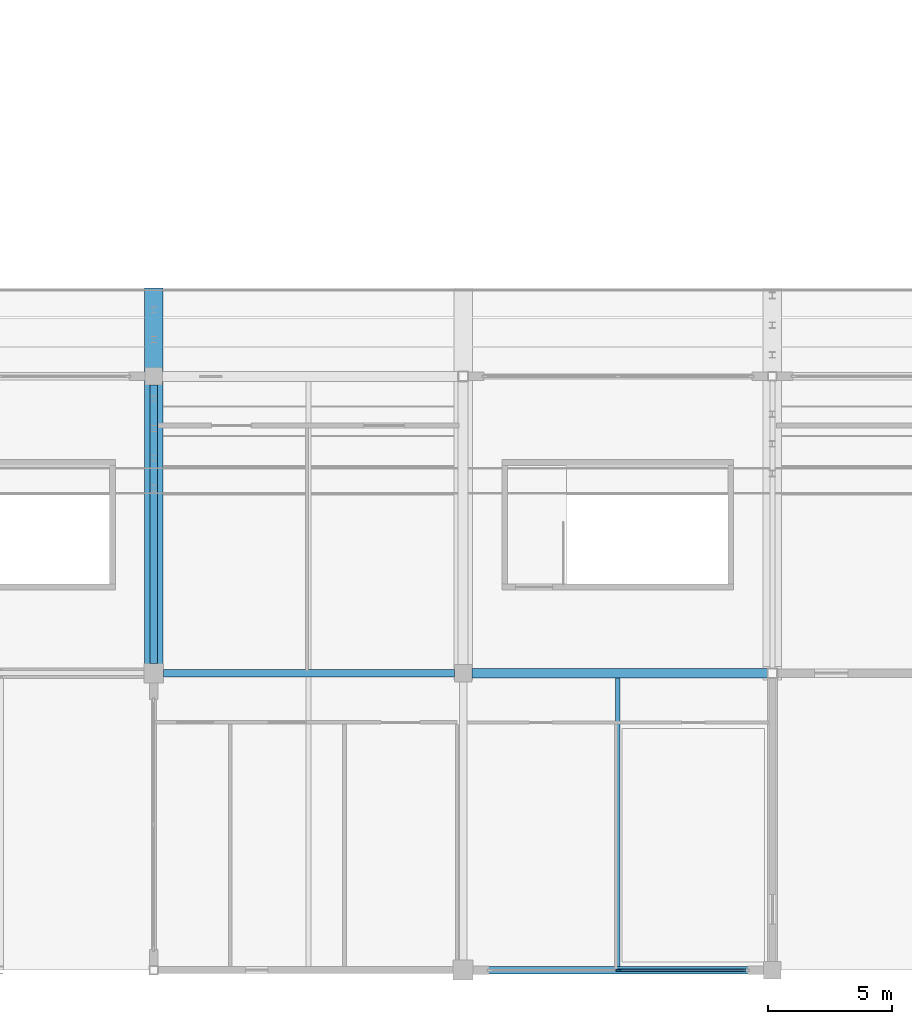
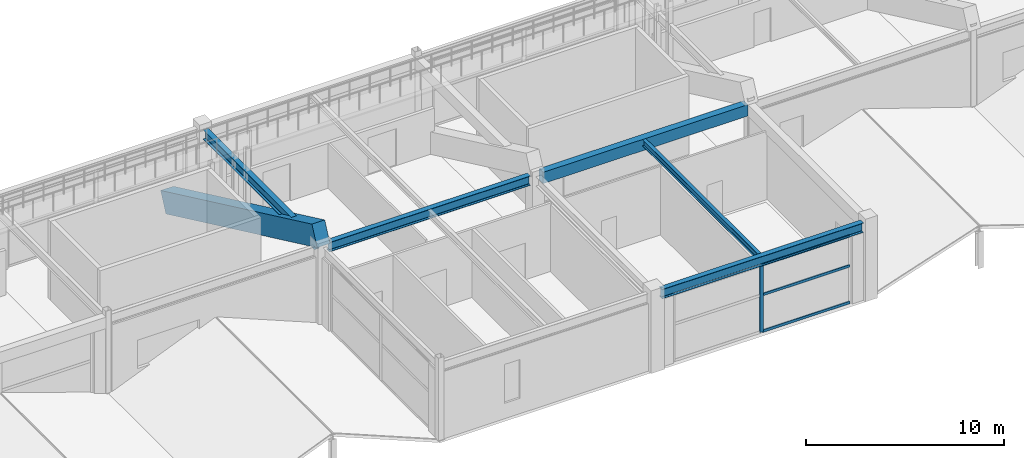
# One storey, part 32 of 128: 6 beams, 4 members, 1 element without a shape of its own.
"""IFC4 building model written with IfcOpenShell, lengths in metres."""

import ifcopenshell
import ifcopenshell.guid

model = None  # the IFC model being written
_history = None  # IfcOwnerHistory: only IFC2X3 demands one
_inside = {}  # id of a spatial element -> (the spatial element, [elements in it])
_under = {}  # id of a project, library or spatial element -> (it, [spatial elements below it])
_declared = {}  # id of a project -> (the project, [libraries it declares])
_typed = {}  # id of a type object -> (the type object, [elements of that type])
_made_of = {}  # id of a material, layer set ... -> (it, [elements and type objects made of it])


def new_model(schema):
    """Start an empty IFC model of exactly this schema.

    Asked for "IFC4X3", IfcOpenShell would pick the latest addendum, in which some entities
    have other attributes; the version numbers below select the first issue.
    IFC2X3 requires an IfcOwnerHistory on every rooted entity: one is made here for all.
    """
    global model, _history
    if schema == "IFC4X3":
        model = ifcopenshell.file(schema_version=(4, 3, 0, 0))
    else:
        model = ifcopenshell.file(schema=schema)
    _inside.clear()
    _under.clear()
    _declared.clear()
    _typed.clear()
    _made_of.clear()
    _history = None
    if model.schema == "IFC2X3":
        org = make("IfcOrganization", Name="unknown")
        user = make(
            "IfcPersonAndOrganization",
            ThePerson=make("IfcPerson", FamilyName="unknown"),
            TheOrganization=org,
        )
        app = make(
            "IfcApplication",
            ApplicationDeveloper=org,
            Version="unknown",
            ApplicationFullName="unknown",
            ApplicationIdentifier="unknown",
        )
        _history = make(
            "IfcOwnerHistory",
            OwningUser=user,
            OwningApplication=app,
            ChangeAction="ADDED",
            CreationDate=0,
        )
    return model


def make(cls, **values):
    """One entity of the class cls with the attributes given. An attribute that is None is left unset."""
    return model.create_entity(
        cls, **{name: value for name, value in values.items() if value is not None}
    )


def rooted(cls, **values):
    """An entity with a GlobalId (a new one), such as an element, a storey or a relation."""
    return make(cls, GlobalId=ifcopenshell.guid.new(), OwnerHistory=_history, **values)


def si_unit(unit_type, name, prefix=None):
    """IfcSIUnit, for example si_unit("LENGTHUNIT", "METRE", prefix="MILLI")."""
    return make("IfcSIUnit", UnitType=unit_type, Prefix=prefix, Name=name)


def assignment(units):
    """IfcUnitAssignment: the units of a project."""
    return None if units is None else make("IfcUnitAssignment", Units=units)


def point(xyz):
    """IfcCartesianPoint."""
    return None if xyz is None else make("IfcCartesianPoint", Coordinates=xyz)


def direction(xyz):
    """IfcDirection."""
    return None if xyz is None else make("IfcDirection", DirectionRatios=xyz)


def frame(location, z_axis=None, x_axis=None):
    """IfcAxis2Placement3D, a coordinate frame: its origin and axes. An axis left out is left unset."""
    return make(
        "IfcAxis2Placement3D",
        Location=point(location),
        Axis=direction(z_axis),
        RefDirection=direction(x_axis),
    )


def frame_2d(location, x_axis=None):
    """IfcAxis2Placement2D, a coordinate frame in the plane: its origin and x axis."""
    return make(
        "IfcAxis2Placement2D", Location=point(location), RefDirection=direction(x_axis)
    )


def origin():
    """The frame at (0, 0, 0) with its axes left unset."""
    return frame((0.0, 0.0, 0.0))


def origin_2d():
    """The frame at (0, 0) in the plane with its x axis left unset."""
    return frame_2d((0.0, 0.0))


def place(relative_to, where):
    """IfcLocalPlacement: puts the frame where relative to a parent placement (None: the world)."""
    return make(
        "IfcLocalPlacement", PlacementRelTo=relative_to, RelativePlacement=where
    )


def context(
    kind, dimensions, precision=None, world=None, true_north=None, identifier=None
):
    """IfcGeometricRepresentationContext, for example the 3D "Model" context."""
    return make(
        "IfcGeometricRepresentationContext",
        ContextIdentifier=identifier,
        ContextType=kind,
        CoordinateSpaceDimension=dimensions,
        Precision=precision,
        WorldCoordinateSystem=world,
        TrueNorth=true_north,
    )


def subcontext(parent, identifier, kind, view, scale=None):
    """IfcGeometricRepresentationSubContext, for example "Body" below "Model"."""
    return make(
        "IfcGeometricRepresentationSubContext",
        ContextIdentifier=identifier,
        ContextType=kind,
        ParentContext=parent,
        TargetScale=scale,
        TargetView=view,
    )


def project(units=None, contexts=None):
    """IfcProject with its units and contexts."""
    return rooted(
        "IfcProject",
        Name="project",
        RepresentationContexts=contexts,
        UnitsInContext=assignment(units),
    )


def spatial(cls, under=None, at=None, **own):
    """A site, building, storey or space (cls), placed at a placement, below another one or the project."""
    s = rooted(cls, ObjectPlacement=at, **own)
    if under is not None:
        _under.setdefault(under.id(), (under, []))[1].append(s)
    return s


def profile(cls, at=None, kind="AREA", **sizes):
    """A parametric profile (cls). Its sizes go by their IFC names, for example OverallWidth=200.0."""
    return make(cls, ProfileType=kind, Position=at, **sizes)


def rectangle(**sizes):
    """IfcRectangleProfileDef."""
    return profile("IfcRectangleProfileDef", **sizes)


def i_section(**sizes):
    """IfcIShapeProfileDef."""
    return profile("IfcIShapeProfileDef", **sizes)


def extrude(swept, where, along, depth):
    """IfcExtrudedAreaSolid: the profile swept, set in the frame where, extruded along a direction by depth."""
    return make(
        "IfcExtrudedAreaSolid",
        SweptArea=swept,
        Position=where,
        ExtrudedDirection=direction(along),
        Depth=depth,
    )


def shape(context_of_items, identifier, shape_type, items):
    """IfcShapeRepresentation: the items that make up one representation, for example the "Body"."""
    return make(
        "IfcShapeRepresentation",
        ContextOfItems=context_of_items,
        RepresentationIdentifier=identifier,
        RepresentationType=shape_type,
        Items=items,
    )


def material(Name=None, Category=None):
    """IfcMaterial."""
    return make("IfcMaterial", Name=Name, Category=Category)


def layer(
    of_material, thickness, ventilated=None, Name=None, Category=None, Priority=None
):
    """IfcMaterialLayer: one layer of a wall or slab, of a material (None: an air gap)."""
    return make(
        "IfcMaterialLayer",
        Material=of_material,
        LayerThickness=thickness,
        IsVentilated=ventilated,
        Name=Name,
        Category=Category,
        Priority=Priority,
    )


def layer_set(layers, Name=None):
    """IfcMaterialLayerSet."""
    return make("IfcMaterialLayerSet", MaterialLayers=layers, LayerSetName=Name)


def material_profile(
    of_material, cross_section, Name=None, Category=None, Priority=None
):
    """IfcMaterialProfile: a cross section and its material."""
    return make(
        "IfcMaterialProfile",
        Name=Name,
        Material=of_material,
        Profile=cross_section,
        Priority=Priority,
        Category=Category,
    )


def profile_set(profiles, Name=None, composite=None):
    """IfcMaterialProfileSet."""
    return make(
        "IfcMaterialProfileSet",
        Name=Name,
        MaterialProfiles=profiles,
        CompositeProfile=composite,
    )


def made_of(thing, what):
    """Note that an element or type object is made of a material, layer set ...; save() writes the relation."""
    if what is not None:
        _made_of.setdefault(what.id(), (what, []))[1].append(thing)
    return thing


def type_object(cls, material=None, **own):
    """A type object (cls), such as IfcWallType, which elements share."""
    return made_of(rooted(cls, **own), material)


def element(
    cls,
    number,
    at=None,
    inside=None,
    cuts=None,
    type_object=None,
    material=None,
    context=None,
    identifier="Body",
    shape_type=None,
    held_by="IfcProductDefinitionShape",
    body=None,
    shapes=None,
    **own,
):
    """One element of the class cls, such as IfcWall. Its Tag is "e" and its number.

    at: its placement. inside: the storey or other place that contains it. cuts: it is an
    opening in that element (IfcRelVoidsElement). A single representation is given by context,
    identifier, shape_type and body (its items); several are given by shapes. held_by: the class
    of the entity that holds the representations. save() writes the other relations.
    """
    e = rooted(cls, Tag="e%d" % number, ObjectPlacement=at, **own)
    if body is not None:
        shapes = [shape(context, identifier, shape_type, body)]
    if shapes is not None:
        e.Representation = make(held_by, Representations=shapes)
    if inside is not None:
        _inside.setdefault(inside.id(), (inside, []))[1].append(e)
    if cuts is not None:
        rooted(
            "IfcRelVoidsElement", RelatingBuildingElement=cuts, RelatedOpeningElement=e
        )
    if type_object is not None:
        _typed.setdefault(type_object.id(), (type_object, []))[1].append(e)
    return made_of(e, material)


def aggregate(whole, parts):
    """IfcRelAggregates: a whole, such as a stair, and the parts it consists of."""
    return rooted("IfcRelAggregates", RelatingObject=whole, RelatedObjects=parts)


def save(model, path):
    """Write the relations noted so far, then the file.

    IfcRelAggregates (storeys below a building ...), IfcRelContainedInSpatialStructure (elements
    in a storey), IfcRelDefinesByType, IfcRelAssociatesMaterial and IfcRelDeclares: one each for
    every whole, place, type object, material and project.
    """
    for whole, parts in _under.values():
        aggregate(whole, parts)
    for where, things in _inside.values():
        rooted(
            "IfcRelContainedInSpatialStructure",
            RelatedElements=things,
            RelatingStructure=where,
        )
    for kind, things in _typed.values():
        rooted("IfcRelDefinesByType", RelatedObjects=things, RelatingType=kind)
    for what, things in _made_of.values():
        rooted("IfcRelAssociatesMaterial", RelatedObjects=things, RelatingMaterial=what)
    for by, libraries in _declared.values():
        rooted("IfcRelDeclares", RelatingContext=by, RelatedDefinitions=libraries)
    model.write(path)


model = new_model("IFC4")

# Units and contexts
model_context = context("Model", 3, precision=1e-05, world=origin(), true_north=direction((0.0, 1.0)))
body_context = subcontext(model_context, "Body", "Model", "MODEL_VIEW")
ifc_project = project(units=[si_unit("LENGTHUNIT", "METRE"), si_unit("AREAUNIT", "SQUARE_METRE"), si_unit("VOLUMEUNIT", "CUBIC_METRE"), si_unit("PLANEANGLEUNIT", "RADIAN"), si_unit("MASSUNIT", "GRAM", prefix="KILO")], contexts=[model_context])

# Site, building, storey
site_placement = place(None, origin())
site = spatial("IfcSite", under=ifc_project, at=site_placement, CompositionType="ELEMENT")
building_placement = place(site_placement, origin())
building = spatial("IfcBuilding", under=site, at=building_placement, Name="Kazenohara Klinker Stadium", CompositionType="ELEMENT")
storey_placement = place(building_placement, frame((0.0, 0.0, 15.300048828125)))
storey = spatial("IfcBuildingStorey", under=building, at=storey_placement, Name="L03", CompositionType="ELEMENT", Elevation=15.300048828125)

# Beams
ifc_material_1 = material(Name="Steel S355", Category="steel")
ifc_material_profile_1 = material_profile(ifc_material_1, i_section(OverallWidth=0.199951171875, OverallDepth=0.39990234375, WebThickness=0.008056640625, FlangeThickness=0.012939453125, FilletRadius=0.012939453125, at=origin_2d()), Name="H-400x200x8x13")
ifc_profile_set_1 = profile_set([ifc_material_profile_1], Name="Steel S355")
beam_type_1 = type_object("IfcBeamType", Name="BM-JST03", PredefinedType="JOIST", material=ifc_profile_set_1)
beam_1_placement = place(storey_placement, frame((92.75, 12.14990234375, 4.56005859375), z_axis=(0.0, 1.0, 0.0), x_axis=(-1.0, 0.0, 0.0)))
element("IfcBeam", 1, at=beam_1_placement, inside=storey, type_object=beam_type_1, Name="Secondary floor joist SJ03 L03 8/B", PredefinedType="JOIST", context=body_context, shape_type="SweptSolid", body=[
    extrude(i_section(OverallWidth=0.199951171875, OverallDepth=0.39990234375, WebThickness=0.008056640625, FlangeThickness=0.012939453125, FilletRadius=0.012939453125, at=origin_2d()), origin(), (0.0, 0.0, 1.0), 11.650146484375),
])
ifc_material_2 = material(Name="Concrete C40/50", Category="concrete")
ifc_material_profile_2 = material_profile(ifc_material_2, rectangle(XDim=0.39990234375, YDim=0.699951171875, at=origin_2d()), Name="RC-BM-400x700")
ifc_profile_set_2 = profile_set([ifc_material_profile_2], Name="Concrete C40/50")
beam_type_2 = type_object("IfcBeamType", Name="BM-RC04", PredefinedType="BEAM", material=ifc_profile_set_2)
beam_2_placement = place(storey_placement, frame((86.85009765625, 24.0, 4.409912109375), z_axis=(1.0, 0.0, 0.0), x_axis=(0.0, 1.0, 0.0)))
element("IfcBeam", 2, at=beam_2_placement, inside=storey, type_object=beam_type_2, Name="Primary girder BG04 L03 8-9/C", PredefinedType="BEAM", context=body_context, shape_type="SweptSolid", body=[
    extrude(rectangle(XDim=0.39990234375, YDim=0.699951171875, at=origin_2d()), origin(), (0.0, 0.0, 1.0), 11.949951171875),
])
ifc_material_profile_3 = material_profile(ifc_material_1, i_section(OverallWidth=0.300048828125, OverallDepth=0.587890625, WebThickness=0.011962890625, FlangeThickness=0.02001953125, FilletRadius=0.02197265625, at=origin_2d()), Name="H-588x300x12x20")
ifc_profile_set_3 = profile_set([ifc_material_profile_3], Name="Steel S355")
beam_type_3 = type_object("IfcBeamType", Name="BM-ST05", PredefinedType="BEAM", material=ifc_profile_set_3)
for number, where, z_axis, x_axis, name in (
    (3, (74.39990234375, 24.0, 4.466064453125), (1.0, 0.0, 0.0), (0.0, 1.0, 0.0), "Primary girder SB05 L03 7-8/C"),
    (4, (86.89990234375, 12.0, 4.466064453125), (1.0, 0.0, 0.0), (0.0, 1.0, 0.0), "Primary girder SB05 L03 8-9/B"),
):
    element("IfcBeam", number, at=place(storey_placement, frame(where, z_axis=z_axis, x_axis=x_axis)), inside=storey, type_object=beam_type_3, Name=name, PredefinedType="BEAM", context=body_context, shape_type="SweptSolid", body=[
        extrude(i_section(OverallWidth=0.300048828125, OverallDepth=0.587890625, WebThickness=0.011962890625, FlangeThickness=0.02001953125, FilletRadius=0.02197265625, at=origin_2d()), origin(), (0.0, 0.0, 1.0), 11.75),
    ])
beam_3_placement = place(storey_placement, frame((74.0, 24.39990234375, 4.466064453125), z_axis=(0.0, 1.0, 0.0), x_axis=(-1.0, 0.0, 0.0)))
element("IfcBeam", 5, at=beam_3_placement, inside=storey, type_object=beam_type_3, Name="Primary girder SB05 L03 7/C-D", PredefinedType="BEAM", context=body_context, shape_type="SweptSolid", body=[
    extrude(i_section(OverallWidth=0.300048828125, OverallDepth=0.587890625, WebThickness=0.011962890625, FlangeThickness=0.02001953125, FilletRadius=0.02197265625, at=origin_2d()), origin(), (0.0, 0.0, 1.0), 11.25),
])

# Curtain wall, members
ifc_material_3 = material(Name="Anodised aluminium and triple glazing", Category="aluminium")
ifc_layer = layer(ifc_material_3, 0.18994140625)
ifc_layer_set = layer_set([ifc_layer], Name="Anodised aluminium and triple glazing")
curtain_wall_type = type_object("IfcCurtainWallType", Name="CW-SYS-05", PredefinedType="USERDEFINED", material=ifc_layer_set)
curtain_wall_placement = place(storey_placement, origin())
curtain_wall = element("IfcCurtainWall", 6, at=curtain_wall_placement, inside=storey, type_object=curtain_wall_type, Name="Unitised facade curtain wall CW05 L03 X7-1", ObjectType="UNITISED CURTAIN WALL", PredefinedType="USERDEFINED")
ifc_material_4 = material(Name="Anodised aluminium 6063-T6", Category="aluminium")
ifc_material_profile_4 = material_profile(ifc_material_4, rectangle(XDim=0.074951171875, YDim=0.219970703125, at=origin_2d()), Name="ALU-MUL-75x220")
ifc_profile_set_4 = profile_set([ifc_material_profile_4], Name="Anodised aluminium 6063-T6")
member_type_1 = type_object("IfcMemberType", Name="CW-MUL-220", PredefinedType="MULLION", material=ifc_profile_set_4)
member_1_placement = place(storey_placement, frame((92.77490234375, 12.0, 0.0), z_axis=(0.0, 0.0, 1.0), x_axis=(0.0, 1.0, 0.0)))
member_1 = element("IfcMember", 7, at=member_1_placement, type_object=member_type_1, Name="CW05 mullion 2", PredefinedType="MULLION", context=body_context, shape_type="SweptSolid", body=[
    extrude(rectangle(XDim=0.074951171875, YDim=0.219970703125, at=origin_2d()), origin(), (0.0, 0.0, 1.0), 4.171875),
])
ifc_material_profile_5 = material_profile(ifc_material_4, rectangle(XDim=0.074951171875, YDim=0.159912109375, at=origin_2d()), Name="ALU-TRN-75x160")
ifc_profile_set_5 = profile_set([ifc_material_profile_5], Name="Anodised aluminium 6063-T6")
member_type_2 = type_object("IfcMemberType", Name="CW-TRN-160", PredefinedType="USERDEFINED", material=ifc_profile_set_5)
member_2_placement = place(storey_placement, frame((92.8125, 12.0, 0.037353515625), z_axis=(1.0, 0.0, 0.0), x_axis=(0.0, 1.0, 0.0)))
member_2 = element("IfcMember", 8, at=member_2_placement, type_object=member_type_2, Name="CW05 transom 2.1", ObjectType="TRANSOM", PredefinedType="USERDEFINED", context=body_context, shape_type="SweptSolid", body=[
    extrude(rectangle(XDim=0.074951171875, YDim=0.159912109375, at=origin_2d()), origin(), (0.0, 0.0, 1.0), 5.1083984375),
])
member_3_placement = place(storey_placement, frame((92.8125, 12.0, 2.29443359375), z_axis=(1.0, 0.0, 0.0), x_axis=(0.0, 1.0, 0.0)))
member_3 = element("IfcMember", 9, at=member_3_placement, type_object=member_type_2, Name="CW05 transom 2.2", ObjectType="TRANSOM", PredefinedType="USERDEFINED", context=body_context, shape_type="SweptSolid", body=[
    extrude(rectangle(XDim=0.074951171875, YDim=0.159912109375, at=origin_2d()), origin(), (0.0, 0.0, 1.0), 5.1083984375),
])
member_4_placement = place(storey_placement, frame((92.8125, 12.0, 4.134521484375), z_axis=(1.0, 0.0, 0.0), x_axis=(0.0, 1.0, 0.0)))
member_4 = element("IfcMember", 10, at=member_4_placement, type_object=member_type_2, Name="CW05 transom 2.3", ObjectType="TRANSOM", PredefinedType="USERDEFINED", context=body_context, shape_type="SweptSolid", body=[
    extrude(rectangle(XDim=0.074951171875, YDim=0.159912109375, at=origin_2d()), origin(), (0.0, 0.0, 1.0), 5.1083984375),
])
aggregate(curtain_wall, [member_1, member_2, member_3, member_4])

# Beam
ifc_material_5 = material(Name="Precast concrete C50/60", Category="concrete")
ifc_material_profile_6 = material_profile(ifc_material_5, rectangle(XDim=0.75, YDim=1.25, at=origin_2d()), Name="PC-RAKER-750x1250")
ifc_profile_set_6 = profile_set([ifc_material_profile_6], Name="Precast concrete C50/60")
beam_type_4 = type_object("IfcBeamType", Name="RAKER-RK02", PredefinedType="USERDEFINED", material=ifc_profile_set_6)
beam_4_placement = place(storey_placement, frame((74.0, 24.0, 5.351318359375), z_axis=(0.0, 0.904820338238, -0.425793559734), x_axis=(-1.0, 0.0, 0.0)))
element("IfcBeam", 11, at=beam_4_placement, inside=storey, type_object=beam_type_4, Name="Precast bowl raker girder RK02 UPPER South 7", ObjectType="RAKER", PredefinedType="USERDEFINED", context=body_context, shape_type="SweptSolid", body=[
    extrude(rectangle(XDim=0.75, YDim=1.25, at=origin_2d()), origin(), (0.0, 0.0, 1.0), 16.909423828125),
])

save(model, "model.ifc")
